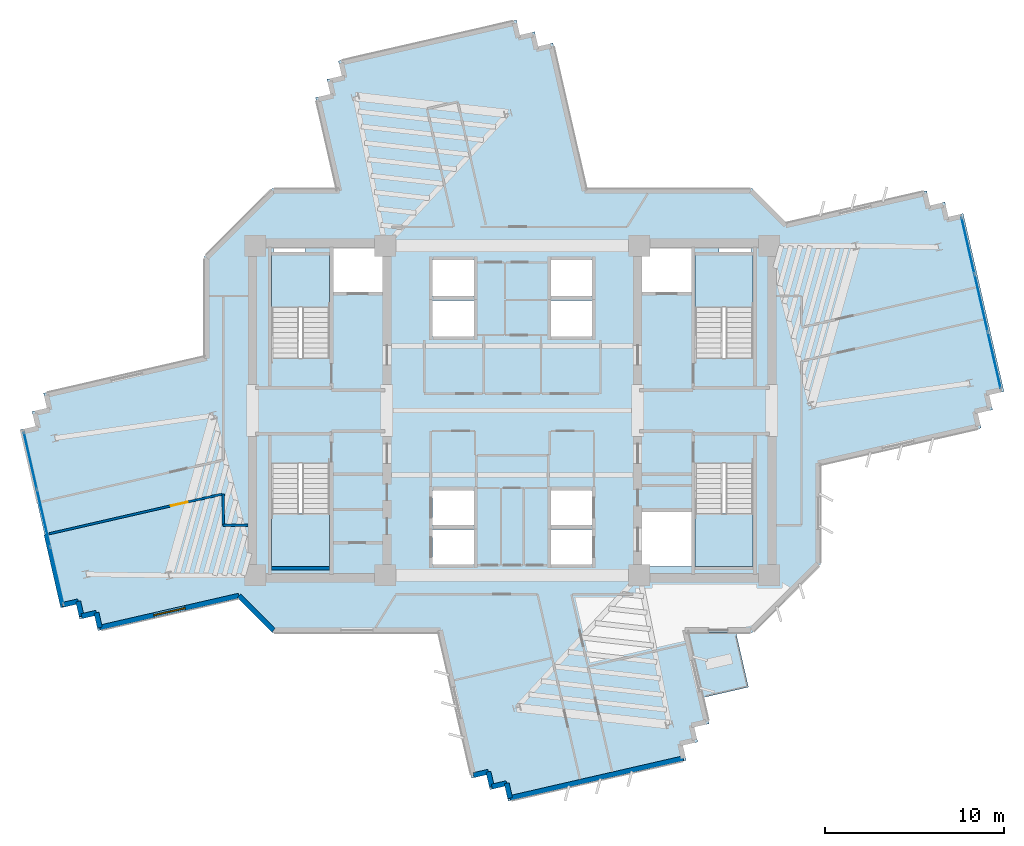
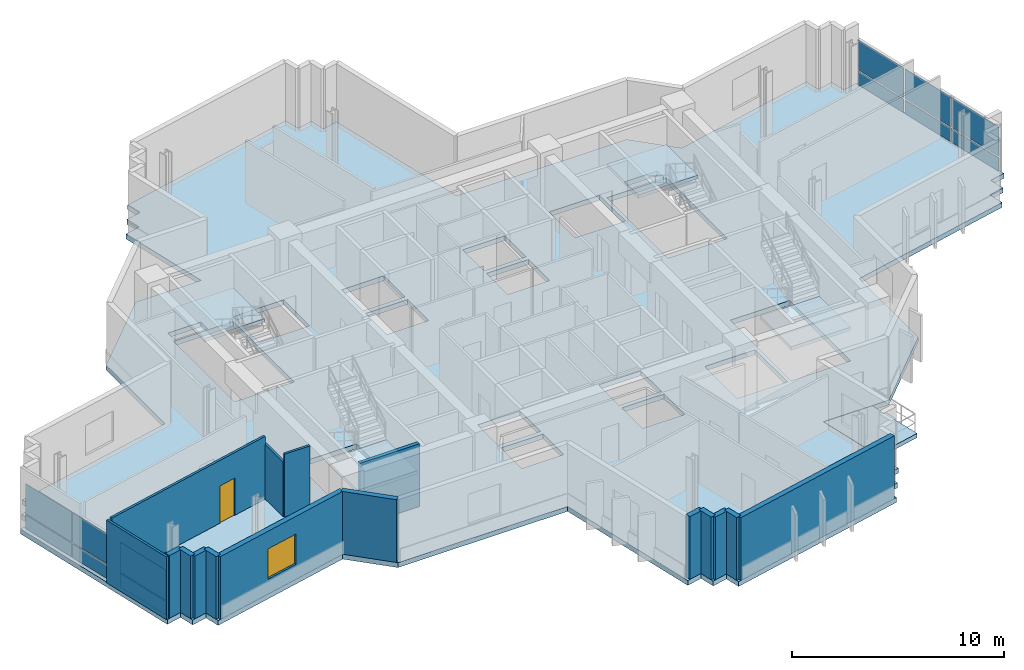
# One storey, part 5 of 13: 16 walls, 12 plates, 6 slabs, 1 door, 1 window, 2 openings, 6 elements without a shape of their own.
"""IFC4 building model written with IfcOpenShell, lengths in metres."""

from ifc_helpers import new_model, si_unit, direction, frame, frame_2d, origin, origin_2d, place, context, subcontext, project, spatial, polyline, rectangle, outline, extrude, source, transform, mapped, material, layer, layer_set, type_object, element, fill, aggregate, save


model = new_model("IFC4")

# Units and contexts
model_context = context("Model", 3, precision=1e-05, world=origin(), true_north=direction((0.0, 1.0)))
body_context = subcontext(model_context, "Body", "Model", "MODEL_VIEW")
ifc_project = project(units=[si_unit("LENGTHUNIT", "METRE"), si_unit("AREAUNIT", "SQUARE_METRE"), si_unit("VOLUMEUNIT", "CUBIC_METRE"), si_unit("PLANEANGLEUNIT", "RADIAN"), si_unit("MASSUNIT", "GRAM", prefix="KILO")], contexts=[model_context])

# Site, building, storey
site_placement = place(None, origin())
site = spatial("IfcSite", under=ifc_project, at=site_placement, CompositionType="ELEMENT")
building_placement = place(site_placement, origin())
building = spatial("IfcBuilding", under=site, at=building_placement, Name="Zahravan Cultural Tower", CompositionType="ELEMENT")
storey_placement = place(building_placement, frame((0.0, 0.0, 170.699951171875)))
storey = spatial("IfcBuildingStorey", under=building, at=storey_placement, Name="L39", CompositionType="ELEMENT", Elevation=170.699951171875)

# Slab
ifc_material_1 = material(Name="Concrete C45/55", Category="concrete")
ifc_layer_1 = layer(ifc_material_1, 0.280029296875)
ifc_layer_set_1 = layer_set([ifc_layer_1], Name="Concrete C45/55")
slab_type_1 = type_object("IfcSlabType", Name="SL-LIB-280", PredefinedType="FLOOR", material=ifc_layer_set_1)
slab_1_placement = place(storey_placement, frame((0.0, 0.0, -0.280029296875)))
element("IfcSlab", 1, at=slab_1_placement, inside=storey, type_object=slab_type_1, Name="L39 Structural Floor Slab", PredefinedType="FLOOR", context=body_context, shape_type="SweptSolid", body=[
    extrude(outline(polyline([(51.31103515625, 37.489013671875), (49.39990234375, 39.39990234375), (40.132080078125, 39.39990234375), (38.267822265625, 47.526611328125), (37.439453125, 47.336669921875), (37.249267578125, 48.165283203125), (36.4208984375, 47.97509765625), (36.230712890625, 48.8037109375), (26.2890625, 46.52294921875), (26.47900390625, 45.694580078125), (25.650634765625, 45.50439453125), (25.840576171875, 44.676025390625), (25.01220703125, 44.48583984375), (26.1787109375, 39.39990234375), (22.60009765625, 39.39990234375), (18.800048828125, 35.60009765625), (18.800048828125, 30.031005859375), (9.820068359375, 27.970947265625), (10.01025390625, 27.142578125), (9.181640625, 26.952392578125), (9.37158203125, 26.1240234375), (8.543212890625, 25.933837890625), (10.823974609375, 15.9921875), (11.65234375, 16.18212890625), (11.84228515625, 15.353759765625), (12.6708984375, 15.543701171875), (12.86083984375, 14.71533203125), (20.68896484375, 16.510986328125), (22.60009765625, 14.60009765625), (31.867919921875, 14.60009765625), (33.732177734375, 6.473388671875), (34.560546875, 6.663330078125), (34.750732421875, 5.834716796875), (35.5791015625, 6.02490234375), (35.769287109375, 5.1962890625), (45.7109375, 7.47705078125), (45.52099609375, 8.305419921875), (46.349365234375, 8.49560546875), (46.159423828125, 9.323974609375), (46.98779296875, 9.51416015625), (45.8212890625, 14.60009765625), (49.39990234375, 14.60009765625), (53.199951171875, 18.39990234375), (53.199951171875, 23.968994140625), (62.179931640625, 26.029052734375), (61.98974609375, 26.857421875), (62.818359375, 27.047607421875), (62.62841796875, 27.8759765625), (63.456787109375, 28.066162109375), (61.176025390625, 38.0078125), (60.34765625, 37.81787109375), (60.15771484375, 38.646240234375), (59.3291015625, 38.456298828125), (59.13916015625, 39.28466796875), (51.31103515625, 37.489013671875)]), holes=[polyline([(22.550048828125, 29.949951171875), (22.550048828125, 35.699951171875), (25.800048828125, 35.699951171875), (25.800048828125, 29.949951171875), (22.550048828125, 29.949951171875)]), polyline([(22.550048828125, 18.300048828125), (22.550048828125, 24.050048828125), (25.800048828125, 24.050048828125), (25.800048828125, 18.300048828125), (22.550048828125, 18.300048828125)]), polyline([(46.199951171875, 29.949951171875), (46.199951171875, 35.699951171875), (49.449951171875, 35.699951171875), (49.449951171875, 29.949951171875), (46.199951171875, 29.949951171875)]), polyline([(46.199951171875, 18.300048828125), (46.199951171875, 24.050048828125), (49.449951171875, 24.050048828125), (49.449951171875, 18.300048828125), (46.199951171875, 18.300048828125)]), polyline([(26.0, 33.60009765625), (26.0, 36.050048828125), (28.75, 36.050048828125), (28.75, 33.60009765625), (26.0, 33.60009765625)]), polyline([(43.25, 33.60009765625), (43.25, 36.050048828125), (46.0, 36.050048828125), (46.0, 33.60009765625), (43.25, 33.60009765625)]), polyline([(43.25, 18.300048828125), (43.25, 21.35009765625), (46.0, 21.35009765625), (46.0, 18.300048828125), (43.25, 18.300048828125)]), polyline([(31.550048828125, 33.39990234375), (31.550048828125, 35.39990234375), (33.85009765625, 35.39990234375), (33.85009765625, 33.39990234375), (31.550048828125, 33.39990234375)]), polyline([(31.550048828125, 31.14990234375), (31.550048828125, 33.14990234375), (33.85009765625, 33.14990234375), (33.85009765625, 31.14990234375), (31.550048828125, 31.14990234375)]), polyline([(38.14990234375, 33.39990234375), (38.14990234375, 35.39990234375), (40.449951171875, 35.39990234375), (40.449951171875, 33.39990234375), (38.14990234375, 33.39990234375)]), polyline([(38.14990234375, 31.14990234375), (38.14990234375, 33.14990234375), (40.449951171875, 33.14990234375), (40.449951171875, 31.14990234375), (38.14990234375, 31.14990234375)]), polyline([(31.550048828125, 20.60009765625), (31.550048828125, 22.550048828125), (33.85009765625, 22.550048828125), (33.85009765625, 20.60009765625), (31.550048828125, 20.60009765625)]), polyline([(31.550048828125, 18.39990234375), (31.550048828125, 20.35009765625), (33.85009765625, 20.35009765625), (33.85009765625, 18.39990234375), (31.550048828125, 18.39990234375)]), polyline([(38.14990234375, 20.60009765625), (38.14990234375, 22.550048828125), (40.449951171875, 22.550048828125), (40.449951171875, 20.60009765625), (38.14990234375, 20.60009765625)]), polyline([(38.14990234375, 18.39990234375), (38.14990234375, 20.35009765625), (40.449951171875, 20.35009765625), (40.449951171875, 18.39990234375), (38.14990234375, 18.39990234375)]), polyline([(22.64990234375, 35.800048828125), (22.64990234375, 36.419921875), (24.449951171875, 36.419921875), (24.449951171875, 35.800048828125), (22.64990234375, 35.800048828125)]), polyline([(47.550048828125, 35.800048828125), (47.550048828125, 36.419921875), (49.35009765625, 36.419921875), (49.35009765625, 35.800048828125), (47.550048828125, 35.800048828125)])]), origin(), (0.0, 0.0, 1.0), 0.280029296875),
])

# Stair, slab
stair_type = type_object("IfcStairType", Name="STR-DL-1550-390", PredefinedType="HALF_TURN_STAIR", material=ifc_material_1)
stair_1_placement = place(storey_placement, origin())
stair_1 = element("IfcStair", 2, at=stair_1_placement, inside=storey, type_object=stair_type, Name="L39 West Core North Exit Stair ST-W1", PredefinedType="HALF_TURN_STAIR")
ifc_layer_2 = layer(ifc_material_1, 0.199951171875)
ifc_layer_set_2 = layer_set([ifc_layer_2], Name="Concrete C45/55")
slab_type_2 = type_object("IfcSlabType", Name="SL-STAIR-LND200", PredefinedType="LANDING", material=ifc_layer_set_2)
slab_2_placement = place(storey_placement, frame((0.0, 0.0, 1.75)))
slab_2 = element("IfcSlab", 3, at=slab_2_placement, type_object=slab_type_2, Name="ST-W1 landing 1", PredefinedType="LANDING", context=body_context, shape_type="SweptSolid", body=[
    extrude(outline(polyline([(25.800048828125, 32.75), (25.800048828125, 35.699951171875), (22.550048828125, 35.699951171875), (22.550048828125, 32.75), (25.800048828125, 32.75)])), origin(), (0.0, 0.0, 1.0), 0.199951171875),
])
aggregate(stair_1, [slab_2])

stair_2_placement = place(storey_placement, origin())
stair_2 = element("IfcStair", 4, at=stair_2_placement, inside=storey, type_object=stair_type, Name="L39 West Core South Exit Stair ST-W2", PredefinedType="HALF_TURN_STAIR")
slab_3_placement = place(storey_placement, frame((0.0, 0.0, 1.75)))
slab_3 = element("IfcSlab", 5, at=slab_3_placement, type_object=slab_type_2, Name="ST-W2 landing 1", PredefinedType="LANDING", context=body_context, shape_type="SweptSolid", body=[
    extrude(outline(polyline([(22.550048828125, 21.25), (22.550048828125, 18.300048828125), (25.800048828125, 18.300048828125), (25.800048828125, 21.25), (22.550048828125, 21.25)])), origin(), (0.0, 0.0, 1.0), 0.199951171875),
])
aggregate(stair_2, [slab_3])

stair_3_placement = place(storey_placement, origin())
stair_3 = element("IfcStair", 6, at=stair_3_placement, inside=storey, type_object=stair_type, Name="L39 East Core North Exit Stair ST-E1", PredefinedType="HALF_TURN_STAIR")
slab_4_placement = place(storey_placement, frame((0.0, 0.0, 1.75)))
slab_4 = element("IfcSlab", 7, at=slab_4_placement, type_object=slab_type_2, Name="ST-E1 landing 1", PredefinedType="LANDING", context=body_context, shape_type="SweptSolid", body=[
    extrude(outline(polyline([(49.449951171875, 32.75), (49.449951171875, 35.699951171875), (46.199951171875, 35.699951171875), (46.199951171875, 32.75), (49.449951171875, 32.75)])), origin(), (0.0, 0.0, 1.0), 0.199951171875),
])
aggregate(stair_3, [slab_4])

stair_4_placement = place(storey_placement, origin())
stair_4 = element("IfcStair", 8, at=stair_4_placement, inside=storey, type_object=stair_type, Name="L39 East Core South Exit Stair ST-E2", PredefinedType="HALF_TURN_STAIR")
slab_5_placement = place(storey_placement, frame((0.0, 0.0, 1.75)))
slab_5 = element("IfcSlab", 9, at=slab_5_placement, type_object=slab_type_2, Name="ST-E2 landing 1", PredefinedType="LANDING", context=body_context, shape_type="SweptSolid", body=[
    extrude(outline(polyline([(46.199951171875, 21.25), (46.199951171875, 18.300048828125), (49.449951171875, 18.300048828125), (49.449951171875, 21.25), (46.199951171875, 21.25)])), origin(), (0.0, 0.0, 1.0), 0.199951171875),
])
aggregate(stair_4, [slab_5])

# Slab
ifc_material_2 = material(Name="Concrete C40/50", Category="concrete")
ifc_layer_3 = layer(ifc_material_2, 0.239990234375)
ifc_layer_set_3 = layer_set([ifc_layer_3], Name="Concrete C40/50")
slab_type_3 = type_object("IfcSlabType", Name="SL-TERR-240", PredefinedType="FLOOR", material=ifc_layer_set_3)
slab_6_placement = place(storey_placement, frame((0.0, 0.0, -0.239990234375)))
element("IfcSlab", 10, at=slab_6_placement, inside=storey, type_object=slab_type_3, Name="L39 Planted Sculpture Terrace SE", PredefinedType="FLOOR", context=body_context, shape_type="SweptSolid", body=[
    extrude(outline(polyline([(49.1865234375, 11.5576171875), (48.48974609375, 14.594970703125), (45.827392578125, 14.594970703125), (46.657470703125, 10.977294921875), (49.1865234375, 11.5576171875)])), origin(), (0.0, 0.0, 1.0), 0.239990234375),
])

# Curtain wall, plates
ifc_material_3 = material(Name="Anodised bronze-aluminium mullion", Category="aluminium")
ifc_layer_4 = layer(ifc_material_3, 0.219970703125)
ifc_layer_set_4 = layer_set([ifc_layer_4], Name="Anodised bronze-aluminium mullion")
curtain_wall_type_1 = type_object("IfcCurtainWallType", Name="CW-SYS-1", PredefinedType="USERDEFINED", material=ifc_layer_set_4)
curtain_wall_1_placement = place(storey_placement, origin())
curtain_wall_1 = element("IfcCurtainWall", 11, at=curtain_wall_1_placement, inside=storey, type_object=curtain_wall_type_1, Name="L39 Recessed Curtain Wall CW-1.1", ObjectType="RECESSED GLAZING", PredefinedType="USERDEFINED")
ifc_material_4 = material(Name="Low-E solar-control double glazing", Category="glass")
ifc_layer_5 = layer(ifc_material_4, 0.031982421875)
ifc_layer_set_5 = layer_set([ifc_layer_5], Name="Low-E solar-control double glazing")
plate_type_1 = type_object("IfcPlateType", Name="CWP-CW-1", PredefinedType="CURTAIN_PANEL", material=ifc_layer_set_5)
shared_shape_1 = source(origin(), body_context, "Body", "SweptSolid", [
    extrude(rectangle(XDim=3.186767578125, YDim=0.031982421875, at=origin_2d()), origin(), (0.0, 0.0, 1.0), 0.780029296875),
])
plate_1_placement = place(storey_placement, frame((61.445068359375, 36.208984375, 0.080078125), z_axis=(0.0, 0.0, 1.0), x_axis=(0.223599629842, -0.974681078884, 0.0)))
plate_1 = element("IfcPlate", 12, at=plate_1_placement, type_object=plate_type_1, Name="CW-1 panel 1.1", PredefinedType="CURTAIN_PANEL", context=body_context, shape_type="MappedRepresentation", body=[
    mapped(shared_shape_1, transform((0.0, 0.0, 0.0), x_axis=(1.0, 0.0, 0.0), y_axis=(0.0, 1.0, 0.0), z_axis=(0.0, 0.0, 1.0), scale=1.0)),
])
plate_2_placement = place(storey_placement, frame((62.914794921875, 29.80224609375, 0.080078125), z_axis=(0.0, 0.0, 1.0), x_axis=(0.223599629842, -0.974681078884, 0.0)))
plate_2 = element("IfcPlate", 13, at=plate_2_placement, type_object=plate_type_1, Name="CW-1 panel 3.1", PredefinedType="CURTAIN_PANEL", context=body_context, shape_type="MappedRepresentation", body=[
    mapped(shared_shape_1, transform((0.0, 0.0, 0.0), x_axis=(1.0, 0.0, 0.0), y_axis=(0.0, 1.0, 0.0), z_axis=(0.0, 0.0, 1.0), scale=1.0)),
])

ifc_layer_6 = layer(ifc_material_3, 0.199951171875)
ifc_layer_set_6 = layer_set([ifc_layer_6], Name="Anodised bronze-aluminium mullion")
curtain_wall_type_2 = type_object("IfcCurtainWallType", Name="CW-SYS-2", PredefinedType="USERDEFINED", material=ifc_layer_set_6)
curtain_wall_2_placement = place(storey_placement, origin())
curtain_wall_2 = element("IfcCurtainWall", 14, at=curtain_wall_2_placement, inside=storey, type_object=curtain_wall_type_2, Name="L39 Recessed Curtain Wall CW-2.2", ObjectType="RECESSED GLAZING", PredefinedType="USERDEFINED")
ifc_layer_7 = layer(ifc_material_4, 0.030029296875)
ifc_layer_set_7 = layer_set([ifc_layer_7], Name="Low-E solar-control double glazing")
plate_type_2 = type_object("IfcPlateType", Name="CWP-CW-2", PredefinedType="CURTAIN_PANEL", material=ifc_layer_set_7)
shared_shape_2 = source(origin(), body_context, "Body", "SweptSolid", [
    extrude(rectangle(XDim=3.194091796875, YDim=0.030029296875, at=origin_2d()), origin(), (0.0, 0.0, 1.0), 0.78759765625),
])
plate_3_placement = place(storey_placement, frame((10.55517578125, 17.789794921875, 0.074951171875), z_axis=(0.0, 0.0, 1.0), x_axis=(-0.223599629842, 0.974681078884, 0.0)))
plate_3 = element("IfcPlate", 15, at=plate_3_placement, type_object=plate_type_2, Name="CW-2 panel 1.1", PredefinedType="CURTAIN_PANEL", context=body_context, shape_type="MappedRepresentation", body=[
    mapped(shared_shape_2, transform((0.0, 0.0, 0.0), x_axis=(1.0, 0.0, 0.0), y_axis=(0.0, 1.0, 0.0), z_axis=(0.0, 0.0, 1.0), scale=1.0)),
])
plate_4_placement = place(storey_placement, frame((9.0849609375, 24.198974609375, 0.074951171875), z_axis=(0.0, 0.0, 1.0), x_axis=(-0.223599629842, 0.974681078884, 0.0)))
plate_4 = element("IfcPlate", 16, at=plate_4_placement, type_object=plate_type_2, Name="CW-2 panel 3.1", PredefinedType="CURTAIN_PANEL", context=body_context, shape_type="MappedRepresentation", body=[
    mapped(shared_shape_2, transform((0.0, 0.0, 0.0), x_axis=(1.0, 0.0, 0.0), y_axis=(0.0, 1.0, 0.0), z_axis=(0.0, 0.0, 1.0), scale=1.0)),
])
shared_shape_3 = source(origin(), body_context, "Body", "SweptSolid", [
    extrude(rectangle(XDim=3.231689453125, YDim=0.030029296875, at=origin_2d()), origin(), (0.0, 0.0, 1.0), 0.78759765625),
])
plate_5_placement = place(storey_placement, frame((9.820068359375, 20.994384765625, 0.074951171875), z_axis=(0.0, 0.0, 1.0), x_axis=(-0.223599629842, 0.974681078884, 0.0)))
plate_5 = element("IfcPlate", 17, at=plate_5_placement, type_object=plate_type_2, Name="CW-2 panel 2.1", PredefinedType="CURTAIN_PANEL", context=body_context, shape_type="MappedRepresentation", body=[
    mapped(shared_shape_3, transform((0.0, 0.0, 0.0), x_axis=(1.0, 0.0, 0.0), y_axis=(0.0, 1.0, 0.0), z_axis=(0.0, 0.0, 1.0), scale=1.0)),
])
shared_shape_4 = source(origin(), body_context, "Body", "SweptSolid", [
    extrude(rectangle(XDim=3.194091796875, YDim=0.030029296875, at=origin_2d()), origin(), (0.0, 0.0, 1.0), 1.7275390625),
])
plate_6_placement = place(storey_placement, frame((10.55517578125, 17.789794921875, 0.9375), z_axis=(0.0, 0.0, 1.0), x_axis=(-0.223599629842, 0.974681078884, 0.0)))
plate_6 = element("IfcPlate", 18, at=plate_6_placement, type_object=plate_type_2, Name="CW-2 panel 1.2", PredefinedType="CURTAIN_PANEL", context=body_context, shape_type="MappedRepresentation", body=[
    mapped(shared_shape_4, transform((0.0, 0.0, 0.0), x_axis=(1.0, 0.0, 0.0), y_axis=(0.0, 1.0, 0.0), z_axis=(0.0, 0.0, 1.0), scale=1.0)),
])
plate_7_placement = place(storey_placement, frame((9.0849609375, 24.198974609375, 0.9375), z_axis=(0.0, 0.0, 1.0), x_axis=(-0.223599629842, 0.974681078884, 0.0)))
plate_7 = element("IfcPlate", 19, at=plate_7_placement, type_object=plate_type_2, Name="CW-2 panel 3.2", PredefinedType="CURTAIN_PANEL", context=body_context, shape_type="MappedRepresentation", body=[
    mapped(shared_shape_4, transform((0.0, 0.0, 0.0), x_axis=(1.0, 0.0, 0.0), y_axis=(0.0, 1.0, 0.0), z_axis=(0.0, 0.0, 1.0), scale=1.0)),
])
shared_shape_5 = source(origin(), body_context, "Body", "SweptSolid", [
    extrude(rectangle(XDim=3.231689453125, YDim=0.030029296875, at=origin_2d()), origin(), (0.0, 0.0, 1.0), 1.7275390625),
])
plate_8_placement = place(storey_placement, frame((9.820068359375, 20.994384765625, 0.9375), z_axis=(0.0, 0.0, 1.0), x_axis=(-0.223599629842, 0.974681078884, 0.0)))
plate_8 = element("IfcPlate", 20, at=plate_8_placement, type_object=plate_type_2, Name="CW-2 panel 2.2", PredefinedType="CURTAIN_PANEL", context=body_context, shape_type="MappedRepresentation", body=[
    mapped(shared_shape_5, transform((0.0, 0.0, 0.0), x_axis=(1.0, 0.0, 0.0), y_axis=(0.0, 1.0, 0.0), z_axis=(0.0, 0.0, 1.0), scale=1.0)),
])
aggregate(curtain_wall_2, [plate_3, plate_6, plate_5, plate_8, plate_4, plate_7])

# Plate
shared_shape_6 = source(origin(), body_context, "Body", "SweptSolid", [
    extrude(rectangle(XDim=3.186767578125, YDim=0.031982421875, at=origin_2d()), origin(), (0.0, 0.0, 1.0), 1.719970703125),
])
plate_9_placement = place(storey_placement, frame((61.445068359375, 36.208984375, 0.93994140625), z_axis=(0.0, 0.0, 1.0), x_axis=(0.223599629842, -0.974681078884, 0.0)))
plate_9 = element("IfcPlate", 21, at=plate_9_placement, type_object=plate_type_1, Name="CW-1 panel 1.2", PredefinedType="CURTAIN_PANEL", context=body_context, shape_type="MappedRepresentation", body=[
    mapped(shared_shape_6, transform((0.0, 0.0, 0.0), x_axis=(1.0, 0.0, 0.0), y_axis=(0.0, 1.0, 0.0), z_axis=(0.0, 0.0, 1.0), scale=1.0)),
])

plate_10_placement = place(storey_placement, frame((62.914794921875, 29.80224609375, 0.93994140625), z_axis=(0.0, 0.0, 1.0), x_axis=(0.223599629842, -0.974681078884, 0.0)))
plate_10 = element("IfcPlate", 22, at=plate_10_placement, type_object=plate_type_1, Name="CW-1 panel 3.2", PredefinedType="CURTAIN_PANEL", context=body_context, shape_type="MappedRepresentation", body=[
    mapped(shared_shape_6, transform((0.0, 0.0, 0.0), x_axis=(1.0, 0.0, 0.0), y_axis=(0.0, 1.0, 0.0), z_axis=(0.0, 0.0, 1.0), scale=1.0)),
])

shared_shape_7 = source(origin(), body_context, "Body", "SweptSolid", [
    extrude(rectangle(XDim=3.2265625, YDim=0.031982421875, at=origin_2d()), origin(), (0.0, 0.0, 1.0), 0.780029296875),
])
plate_11_placement = place(storey_placement, frame((62.179931640625, 33.005615234375, 0.080078125), z_axis=(0.0, 0.0, 1.0), x_axis=(0.223599629842, -0.974681078884, 0.0)))
plate_11 = element("IfcPlate", 23, at=plate_11_placement, type_object=plate_type_1, Name="CW-1 panel 2.1", PredefinedType="CURTAIN_PANEL", context=body_context, shape_type="MappedRepresentation", body=[
    mapped(shared_shape_7, transform((0.0, 0.0, 0.0), x_axis=(1.0, 0.0, 0.0), y_axis=(0.0, 1.0, 0.0), z_axis=(0.0, 0.0, 1.0), scale=1.0)),
])

shared_shape_8 = source(origin(), body_context, "Body", "SweptSolid", [
    extrude(rectangle(XDim=3.2265625, YDim=0.031982421875, at=origin_2d()), origin(), (0.0, 0.0, 1.0), 1.719970703125),
])
plate_12_placement = place(storey_placement, frame((62.179931640625, 33.005615234375, 0.93994140625), z_axis=(0.0, 0.0, 1.0), x_axis=(0.223599629842, -0.974681078884, 0.0)))
plate_12 = element("IfcPlate", 24, at=plate_12_placement, type_object=plate_type_1, Name="CW-1 panel 2.2", PredefinedType="CURTAIN_PANEL", context=body_context, shape_type="MappedRepresentation", body=[
    mapped(shared_shape_8, transform((0.0, 0.0, 0.0), x_axis=(1.0, 0.0, 0.0), y_axis=(0.0, 1.0, 0.0), z_axis=(0.0, 0.0, 1.0), scale=1.0)),
])

aggregate(curtain_wall_1, [plate_1, plate_9, plate_11, plate_12, plate_2, plate_10])

# Wall, opening, window
ifc_material_5 = material(Name="Precast concrete C40/50", Category="concrete")
ifc_layer_8 = layer(ifc_material_5, 0.280029296875)
ifc_layer_set_8 = layer_set([ifc_layer_8], Name="Precast concrete C40/50")
wall_type_1 = type_object("IfcWallType", Name="EW-TC-280", PredefinedType="SOLIDWALL", material=ifc_layer_set_8)
wall_1_placement = place(storey_placement, frame((20.733154296875, 16.664794921875, 0.0), z_axis=(0.0, 0.0, 1.0), x_axis=(-0.974683655327, -0.223588398711, 0.0)))
wall_1 = element("IfcWall", 25, at=wall_1_placement, inside=storey, type_object=wall_type_1, Name="L39 Exterior Masonry Frame Wall 27", PredefinedType="SOLIDWALL", context=body_context, shape_type="SweptSolid", body=[
    extrude(rectangle(XDim=7.96875, YDim=0.280029296875, at=frame_2d((3.984375, 0.0))), origin(), (0.0, 0.0, 1.0), 3.6201171875),
])
opening_1_placement = place(wall_1_placement, frame((3.083984375, 0.0, 0.85009765625)))
opening_1 = element("IfcOpeningElement", 26, at=opening_1_placement, cuts=wall_1, Name="Opening WN-02", PredefinedType="OPENING", context=body_context, shape_type="SweptSolid", body=[
    extrude(rectangle(XDim=1.800048828125, YDim=1.75, at=frame_2d((0.89990234375, 0.875))), frame((0.0, 0.14990234375, 0.0), z_axis=(0.0, -1.0, 0.0), x_axis=(1.0, 0.0, 0.0)), (0.0, 0.0, 1.0), 0.300048828125),
])
window_type = type_object("IfcWindowType", Name="WN-REC-1800X1750", PartitioningType="DOUBLE_PANEL_VERTICAL", PredefinedType="WINDOW", material=ifc_material_4)
shared_shape_9 = source(origin(), body_context, "Body", "SweptSolid", [
    extrude(rectangle(XDim=1.800048828125, YDim=1.75, at=frame_2d((0.89990234375, 0.875))), frame((0.0, 0.030029296875, 0.0), z_axis=(0.0, -1.0, 0.0), x_axis=(1.0, 0.0, 0.0)), (0.0, 0.0, 1.0), 0.06005859375),
])
window_placement = place(opening_1_placement, origin())
window = element("IfcWindow", 27, at=window_placement, inside=storey, type_object=window_type, Name="L39 Recessed Solar Window 07", OverallHeight=1.75, OverallWidth=1.800048828125, PartitioningType="DOUBLE_PANEL_VERTICAL", PredefinedType="WINDOW", context=body_context, shape_type="MappedRepresentation", body=[
    mapped(shared_shape_9, transform((0.0, 0.0, 0.0), x_axis=(1.0, 0.0, 0.0), y_axis=(0.0, 1.0, 0.0), z_axis=(0.0, 0.0, 1.0), scale=1.0)),
])
fill(opening_1, window)

# Wall, opening, door
ifc_material_6 = material(Name="Gypsum plasterboard partition")
ifc_layer_9 = layer(ifc_material_6, 0.125)
ifc_layer_set_9 = layer_set([ifc_layer_9], Name="Gypsum plasterboard partition")
wall_type_2 = type_object("IfcWallType", Name="W-PART-125", PredefinedType="PARTITIONING", material=ifc_layer_set_9)
wall_2_placement = place(storey_placement, frame((10.128173828125, 20.12109375, 0.0), z_axis=(0.0, 0.0, 1.0), x_axis=(0.974684890892, 0.223583012474, 0.0)))
wall_2 = element("IfcWall", 28, at=wall_2_placement, inside=storey, type_object=wall_type_2, Name="L39 Interior Wall 111", PredefinedType="PARTITIONING", context=body_context, shape_type="SweptSolid", body=[
    extrude(rectangle(XDim=9.905029296875, YDim=0.125, at=frame_2d((4.95263671875, 0.0))), origin(), (0.0, 0.0, 1.0), 3.6201171875),
])
opening_2_placement = place(wall_2_placement, frame((6.985107421875, 0.0, 0.0)))
opening_2 = element("IfcOpeningElement", 29, at=opening_2_placement, cuts=wall_2, Name="Opening D-L39-27", PredefinedType="OPENING", context=body_context, shape_type="SweptSolid", body=[
    extrude(rectangle(XDim=0.949951171875, YDim=2.14990234375, at=frame_2d((0.47509765625, 1.074951171875))), frame((0.0, 0.072509765625, 0.0), z_axis=(0.0, -1.0, 0.0), x_axis=(1.0, 0.0, 0.0)), (0.0, 0.0, 1.0), 0.14501953125),
])
door_type = type_object("IfcDoorType", Name="DR-ROOM-950", OperationType="NOTDEFINED", PredefinedType="DOOR", material=ifc_material_3)
shared_shape_10 = source(origin(), body_context, "Body", "SweptSolid", [
    extrude(rectangle(XDim=0.949951171875, YDim=2.14990234375, at=frame_2d((0.47509765625, 1.074951171875))), frame((0.0, 0.02490234375, 0.0), z_axis=(0.0, -1.0, 0.0), x_axis=(1.0, 0.0, 0.0)), (0.0, 0.0, 1.0), 0.050048828125),
])
door_placement = place(opening_2_placement, origin())
door = element("IfcDoor", 30, at=door_placement, inside=storey, type_object=door_type, Name="L39 Door D-L39-27", OperationType="SINGLE_SWING_LEFT", OverallHeight=2.14990234375, OverallWidth=0.949951171875, PredefinedType="DOOR", context=body_context, shape_type="MappedRepresentation", body=[
    mapped(shared_shape_10, transform((0.0, 0.0, 0.0), x_axis=(1.0, 0.0, 0.0), y_axis=(0.0, 1.0, 0.0), z_axis=(0.0, 0.0, 1.0), scale=1.0)),
])
fill(opening_2, door)

# Walls
shared_shape_11 = source(origin(), body_context, "Body", "SweptSolid", [
    extrude(rectangle(XDim=0.85009765625, YDim=0.280029296875, at=frame_2d((0.425048828125, 0.0))), origin(), (0.0, 0.0, 1.0), 3.6201171875),
])
for number, where, z_axis, x_axis, name in (
    (31, (35.684326171875, 6.192626953125, 0.0), (0.0, 0.0, 1.0), (-0.974719289743, -0.223433001597, 0.0), "L39 Exterior Masonry Frame Wall 21"),
    (32, (12.966064453125, 14.883056640625, 0.0), (0.0, 0.0, 1.0), (-0.223433001597, 0.974719289743, 0.0), "L39 Exterior Masonry Frame Wall 28"),
    (33, (12.776123046875, 15.711669921875, 0.0), (0.0, 0.0, 1.0), (-0.974656710285, -0.22370582714, 0.0), "L39 Exterior Masonry Frame Wall 29"),
    (34, (11.947509765625, 15.521484375, 0.0), (0.0, 0.0, 1.0), (-0.22370582714, 0.974656710285, 0.0), "L39 Exterior Masonry Frame Wall 30"),
):
    element("IfcWall", number, at=place(storey_placement, frame(where, z_axis=z_axis, x_axis=x_axis)), inside=storey, type_object=wall_type_1, Name=name, PredefinedType="SOLIDWALL", context=body_context, shape_type="MappedRepresentation", body=[
        mapped(shared_shape_11, transform((0.0, 0.0, 0.0), x_axis=(1.0, 0.0, 0.0), y_axis=(0.0, 1.0, 0.0), z_axis=(0.0, 0.0, 1.0), scale=1.0)),
    ])
shared_shape_12 = source(origin(), body_context, "Body", "SweptSolid", [
    extrude(rectangle(XDim=0.849853515625, YDim=0.280029296875, at=frame_2d((0.4248046875, 0.0))), origin(), (0.0, 0.0, 1.0), 3.6201171875),
])
for number, where, z_axis, x_axis, name in (
    (35, (35.87451171875, 5.3642578125, 0.0), (0.0, 0.0, 1.0), (-0.223768457828, 0.974642333003, 0.0), "L39 Exterior Masonry Frame Wall 20"),
    (36, (34.855712890625, 6.002685546875, 0.0), (0.0, 0.0, 1.0), (-0.223495563939, 0.974704946586, 0.0), "L39 Exterior Masonry Frame Wall 22"),
    (37, (34.665771484375, 6.8310546875, 0.0), (0.0, 0.0, 1.0), (-0.974704946586, -0.223495563939, 0.0), "L39 Exterior Masonry Frame Wall 23"),
):
    element("IfcWall", number, at=place(storey_placement, frame(where, z_axis=z_axis, x_axis=x_axis)), inside=storey, type_object=wall_type_1, Name=name, PredefinedType="SOLIDWALL", context=body_context, shape_type="MappedRepresentation", body=[
        mapped(shared_shape_12, transform((0.0, 0.0, 0.0), x_axis=(1.0, 0.0, 0.0), y_axis=(0.0, 1.0, 0.0), z_axis=(0.0, 0.0, 1.0), scale=1.0)),
    ])
shared_shape_13 = source(origin(), body_context, "Body", "SweptSolid", [
    extrude(rectangle(XDim=9.919921875, YDim=0.280029296875, at=frame_2d((4.9599609375, 0.0))), origin(), (0.0, 0.0, 1.0), 3.6201171875),
])
wall_3_placement = place(storey_placement, frame((45.543212890625, 7.582275390625, 0.0), z_axis=(0.0, 0.0, 1.0), x_axis=(-0.974682391567, -0.223593907719, 0.0)))
element("IfcWall", 38, at=wall_3_placement, inside=storey, type_object=wall_type_1, Name="L39 Exterior Masonry Frame Wall 19", PredefinedType="SOLIDWALL", context=body_context, shape_type="MappedRepresentation", body=[
    mapped(shared_shape_13, transform((0.0, 0.0, 0.0), x_axis=(1.0, 0.0, 0.0), y_axis=(0.0, 1.0, 0.0), z_axis=(0.0, 0.0, 1.0), scale=1.0)),
])
shared_shape_14 = source(origin(), body_context, "Body", "SweptSolid", [
    extrude(rectangle(XDim=0.849609375, YDim=0.280029296875, at=frame_2d((0.4248046875, 0.0))), origin(), (0.0, 0.0, 1.0), 3.6201171875),
])
wall_4_placement = place(storey_placement, frame((11.75732421875, 16.35009765625, 0.0), z_axis=(0.0, 0.0, 1.0), x_axis=(-0.97462794364, -0.22383112267, 0.0)))
element("IfcWall", 39, at=wall_4_placement, inside=storey, type_object=wall_type_1, Name="L39 Exterior Masonry Frame Wall 31", PredefinedType="SOLIDWALL", context=body_context, shape_type="MappedRepresentation", body=[
    mapped(shared_shape_14, transform((0.0, 0.0, 0.0), x_axis=(1.0, 0.0, 0.0), y_axis=(0.0, 1.0, 0.0), z_axis=(0.0, 0.0, 1.0), scale=1.0)),
])
shared_shape_15 = source(origin(), body_context, "Body", "SweptSolid", [
    extrude(rectangle(XDim=2.72216796875, YDim=0.280029296875, at=frame_2d((1.361083984375, 0.0))), origin(), (0.0, 0.0, 1.0), 3.6201171875),
])
wall_5_placement = place(storey_placement, frame((22.657958984375, 14.739990234375, 0.0), z_axis=(0.0, 0.0, 1.0), x_axis=(-0.707106781187, 0.707106781187, 0.0)))
element("IfcWall", 40, at=wall_5_placement, inside=storey, type_object=wall_type_1, Name="L39 Exterior Masonry Frame Wall 26", PredefinedType="SOLIDWALL", context=body_context, shape_type="MappedRepresentation", body=[
    mapped(shared_shape_15, transform((0.0, 0.0, 0.0), x_axis=(1.0, 0.0, 0.0), y_axis=(0.0, 1.0, 0.0), z_axis=(0.0, 0.0, 1.0), scale=1.0)),
])
ifc_layer_10 = layer(ifc_material_1, 0.199951171875)
ifc_layer_set_10 = layer_set([ifc_layer_10], Name="Concrete C45/55")
wall_type_3 = type_object("IfcWallType", Name="W-SHAFT-200", PredefinedType="SOLIDWALL", material=ifc_layer_set_10)
shared_shape_16 = source(origin(), body_context, "Body", "SweptSolid", [
    extrude(rectangle(XDim=3.25, YDim=0.199951171875, at=frame_2d((1.625, 0.0))), origin(), (0.0, 0.0, 1.0), 3.6201171875),
])
wall_6_placement = place(storey_placement, frame((22.550048828125, 18.199951171875, 0.0), z_axis=(0.0, 0.0, 1.0), x_axis=(1.0, 0.0, 0.0)))
element("IfcWall", 41, at=wall_6_placement, inside=storey, type_object=wall_type_3, Name="L39 Interior Wall 019", PredefinedType="SOLIDWALL", context=body_context, shape_type="MappedRepresentation", body=[
    mapped(shared_shape_16, transform((0.0, 0.0, 0.0), x_axis=(1.0, 0.0, 0.0), y_axis=(0.0, 1.0, 0.0), z_axis=(0.0, 0.0, 1.0), scale=1.0)),
])
shared_shape_17 = source(origin(), body_context, "Body", "SweptSolid", [
    extrude(rectangle(XDim=4.159912109375, YDim=0.125, at=frame_2d((2.080078125, 0.0))), origin(), (0.0, 0.0, 1.0), 3.6201171875),
])
wall_7_placement = place(storey_placement, frame((10.8388671875, 16.01611328125, 0.0), z_axis=(0.0, 0.0, 1.0), x_axis=(-0.223599186995, 0.974681180477, 0.0)))
element("IfcWall", 42, at=wall_7_placement, inside=storey, type_object=wall_type_2, Name="L39 Interior Wall 110", PredefinedType="PARTITIONING", context=body_context, shape_type="MappedRepresentation", body=[
    mapped(shared_shape_17, transform((0.0, 0.0, 0.0), x_axis=(1.0, 0.0, 0.0), y_axis=(0.0, 1.0, 0.0), z_axis=(0.0, 0.0, 1.0), scale=1.0)),
])
shared_shape_18 = source(origin(), body_context, "Body", "SweptSolid", [
    extrude(rectangle(XDim=1.39404296875, YDim=0.125, at=frame_2d((0.697021484375, 0.0))), origin(), (0.0, 0.0, 1.0), 3.6201171875),
])
wall_8_placement = place(storey_placement, frame((19.85107421875, 20.60107421875, 0.0), z_axis=(0.0, 0.0, 1.0), x_axis=(0.999999754632, -0.000700525222, 0.0)))
element("IfcWall", 43, at=wall_8_placement, inside=storey, type_object=wall_type_2, Name="L39 Interior Wall 109", PredefinedType="PARTITIONING", context=body_context, shape_type="MappedRepresentation", body=[
    mapped(shared_shape_18, transform((0.0, 0.0, 0.0), x_axis=(1.0, 0.0, 0.0), y_axis=(0.0, 1.0, 0.0), z_axis=(0.0, 0.0, 1.0), scale=1.0)),
])
shared_shape_19 = source(origin(), body_context, "Body", "SweptSolid", [
    extrude(rectangle(XDim=1.750244140625, YDim=0.125, at=frame_2d((0.875, 0.0))), origin(), (0.0, 0.0, 1.0), 3.149169921875),
])
wall_9_placement = place(storey_placement, frame((19.85009765625, 22.351318359375, 0.0), z_axis=(0.0, 0.0, 1.0), x_axis=(0.000557957787, -0.999999844342, 0.0)))
element("IfcWall", 44, at=wall_9_placement, inside=storey, type_object=wall_type_2, Name="L39 Interior Wall 108", PredefinedType="PARTITIONING", context=body_context, shape_type="MappedRepresentation", body=[
    mapped(shared_shape_19, transform((0.0, 0.0, 0.0), x_axis=(1.0, 0.0, 0.0), y_axis=(0.0, 1.0, 0.0), z_axis=(0.0, 0.0, 1.0), scale=1.0)),
])

save(model, "model.ifc")
